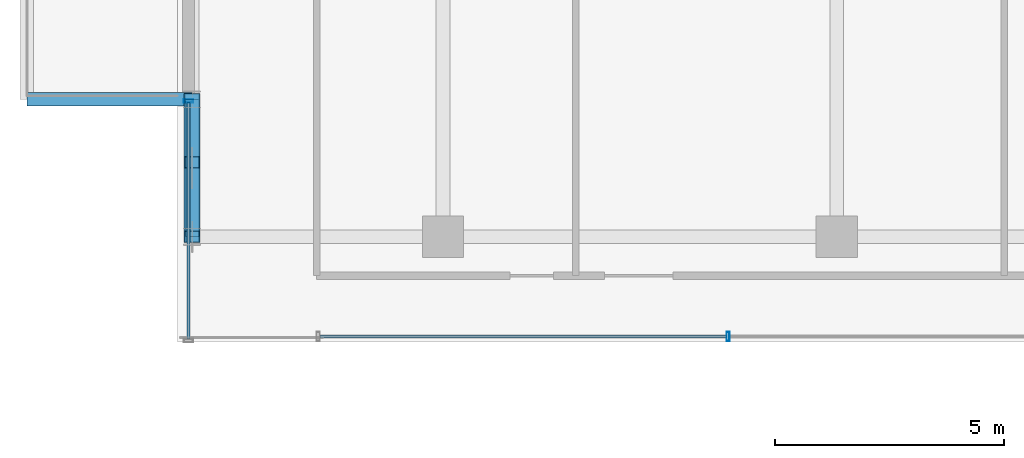
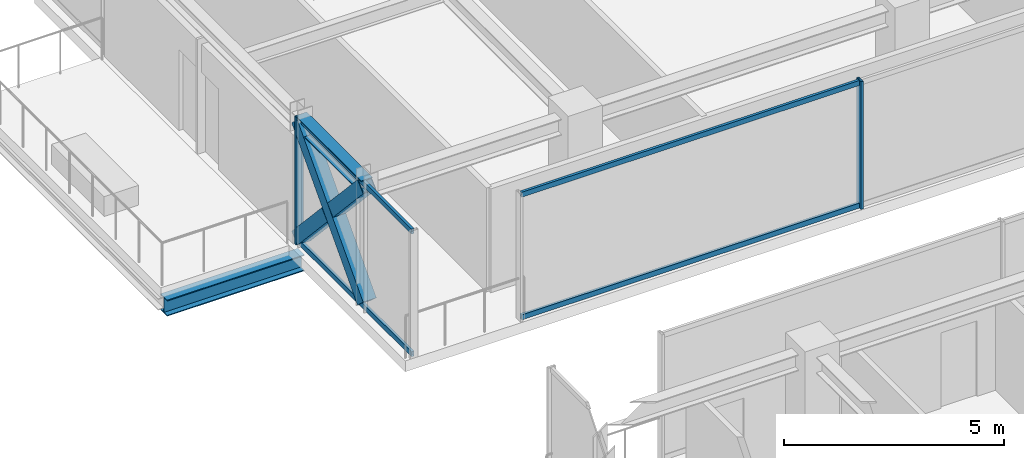
# One storey, part 11 of 41: 9 members, 2 beams, 2 elements without a shape of their own.
"""IFC4 building model written with IfcOpenShell, lengths in metres."""

from ifc_helpers import new_model, si_unit, direction, frame, origin, origin_2d, place, context, subcontext, project, spatial, hollow_rectangle, i_section, extrude, source, transform, mapped, material, material_profile, profile_set, type_object, element, aggregate, save


model = new_model("IFC4")

# Units and contexts
model_context = context("Model", 3, precision=1e-05, world=origin(), true_north=direction((0.0, 1.0)))
body_context = subcontext(model_context, "Body", "Model", "MODEL_VIEW")
ifc_project = project(units=[si_unit("LENGTHUNIT", "METRE"), si_unit("AREAUNIT", "SQUARE_METRE"), si_unit("VOLUMEUNIT", "CUBIC_METRE"), si_unit("PLANEANGLEUNIT", "RADIAN"), si_unit("MASSUNIT", "GRAM", prefix="KILO")], contexts=[model_context])

# Site, building, storey
site_placement = place(None, origin())
site = spatial("IfcSite", under=ifc_project, at=site_placement, CompositionType="ELEMENT")
building_placement = place(site_placement, origin())
building = spatial("IfcBuilding", under=site, at=building_placement, Name="Nahalor Promenade Grand Hotel", CompositionType="ELEMENT")
storey_placement = place(building_placement, frame((0.0, 0.0, 304.199951171875)))
storey = spatial("IfcBuildingStorey", under=building, at=storey_placement, Name="L78", CompositionType="ELEMENT", Elevation=304.199951171875)

# Beams
ifc_material_1 = material(Name="Steel S355JR", Category="steel")
ifc_material_profile_1 = material_profile(ifc_material_1, i_section(OverallWidth=0.3, OverallDepth=0.45, WebThickness=0.014, FlangeThickness=0.026, at=origin_2d()), Name="HEB 450")
ifc_profile_set_1 = profile_set([ifc_material_profile_1], Name="Steel S355JR")
beam_type_1 = type_object("IfcBeamType", Name="Beam-Outrigger-HEB450", PredefinedType="BEAM", material=ifc_profile_set_1)
shared_shape_1 = source(origin(), body_context, "Body", "SweptSolid", [
    extrude(i_section(OverallWidth=0.3, OverallDepth=0.45, WebThickness=0.014, FlangeThickness=0.026, at=origin_2d()), origin(), (0.0, 0.0, 1.0), 3.610107421875),
])
beam_1_placement = place(storey_placement, frame((-26.090087890625, 8.39990234375, -0.5048828125), z_axis=(1.0, 0.0, 0.0), x_axis=(0.0, 1.0, 0.0)))
element("IfcBeam", 1, at=beam_1_placement, inside=storey, type_object=beam_type_1, Name="BM-L78-BC-02-1", PredefinedType="BEAM", context=body_context, shape_type="MappedRepresentation", body=[
    mapped(shared_shape_1, transform((0.0, 0.0, 0.0), scale=1.0)),
])
ifc_material_profile_2 = material_profile(ifc_material_1, i_section(OverallWidth=0.3, OverallDepth=0.36, WebThickness=0.0125, FlangeThickness=0.0225, at=origin_2d()), Name="HEB 360")
ifc_profile_set_2 = profile_set([ifc_material_profile_2], Name="Steel S355JR")
beam_type_2 = type_object("IfcBeamType", Name="Beam-Spandrel-HEB360", PredefinedType="SPANDREL", material=ifc_profile_set_2)
shared_shape_2 = source(origin(), body_context, "Body", "SweptSolid", [
    extrude(i_section(OverallWidth=0.3, OverallDepth=0.36, WebThickness=0.0125, FlangeThickness=0.0225, at=origin_2d()), origin(), (0.0, 0.0, 1.0), 3.0),
])
beam_2_placement = place(storey_placement, frame((-22.47998046875, 5.39990234375, 3.3701171875), z_axis=(0.0, 1.0, 0.0), x_axis=(-1.0, 0.0, 0.0)))
element("IfcBeam", 2, at=beam_2_placement, inside=storey, type_object=beam_type_2, Name="BM-L78-SP-W-3", PredefinedType="SPANDREL", context=body_context, shape_type="MappedRepresentation", body=[
    mapped(shared_shape_2, transform((0.0, 0.0, 0.0), scale=1.0)),
])

# Members
ifc_material_profile_3 = material_profile(ifc_material_1, hollow_rectangle(XDim=0.35, YDim=0.35, WallThickness=0.02, at=origin_2d()), Name="SHS 350x350x20")
ifc_profile_set_3 = profile_set([ifc_material_profile_3], Name="Steel S355JR")
member_type_1 = type_object("IfcMemberType", Name="Mem-VoidBrace-SHS350", PredefinedType="BRACE", material=ifc_profile_set_3)
shared_shape_3 = source(origin(), body_context, "Body", "SweptSolid", [
    extrude(hollow_rectangle(XDim=0.35, YDim=0.35, WallThickness=0.02, at=origin_2d()), origin(), (0.0, 0.0, 1.0), 4.4228515625),
])
member_1_placement = place(storey_placement, frame((-22.47998046875, 5.39990234375, 0.150146484375), z_axis=(0.0, 0.678280102733, 0.734803444627), x_axis=(-1.0, 0.0, 0.0)))
element("IfcMember", 3, at=member_1_placement, inside=storey, type_object=member_type_1, Name="EXO-L78-VX1-W1", PredefinedType="BRACE", context=body_context, shape_type="MappedRepresentation", body=[
    mapped(shared_shape_3, transform((0.0, 0.0, 0.0), scale=1.0)),
])
shared_shape_4 = source(origin(), body_context, "Body", "SweptSolid", [
    extrude(hollow_rectangle(XDim=0.35, YDim=0.35, WallThickness=0.02, at=origin_2d()), origin(), (0.0, 0.0, 1.0), 2.02392578125),
])
for number, where, z_axis, x_axis, name in (
    (4, (-22.47998046875, 8.39990234375, 0.150146484375), (0.0, -0.678315173958, 0.734771069639), (1.0, 0.0, 0.0), "EXO-L78-VX2-W1A"),
    (5, (-22.47998046875, 6.772705078125, 1.912841796875), (0.0, -0.678255053132, 0.734826566545), (1.0, 0.0, 0.0), "EXO-L78-VX2-W1B"),
):
    element("IfcMember", number, at=place(storey_placement, frame(where, z_axis=z_axis, x_axis=x_axis)), inside=storey, type_object=member_type_1, Name=name, PredefinedType="BRACE", context=body_context, shape_type="MappedRepresentation", body=[
        mapped(shared_shape_4, transform((0.0, 0.0, 0.0), scale=1.0)),
    ])

# Curtain wall, members
ifc_material_2 = material(Name="Anodised Bronze Aluminium EN AW-6063 T6", Category="aluminium")
curtain_wall_type = type_object("IfcCurtainWallType", Name="CW3 Elliptical-Void Collar Unitised Curtain Wall", PredefinedType="USERDEFINED", material=ifc_material_2)
curtain_wall_1_placement = place(storey_placement, origin())
curtain_wall_1 = element("IfcCurtainWall", 6, at=curtain_wall_1_placement, inside=storey, type_object=curtain_wall_type, Name="L78 Curtain Wall CW-L78-W-2", ObjectType="UNITISED_CURTAIN_WALL", PredefinedType="USERDEFINED")
ifc_material_profile_4 = material_profile(ifc_material_2, hollow_rectangle(XDim=0.07, YDim=0.14, WallThickness=0.004, at=origin_2d()), Name="CWT 70x140x4")
ifc_profile_set_4 = profile_set([ifc_material_profile_4], Name="Anodised Bronze Aluminium EN AW-6063 T6")
member_type_2 = type_object("IfcMemberType", Name="CWT3 Void Collar Transom 70x140", PredefinedType="USERDEFINED", material=ifc_profile_set_4)
shared_shape_5 = source(origin(), body_context, "Body", "SweptSolid", [
    extrude(hollow_rectangle(XDim=0.07, YDim=0.14, WallThickness=0.004, at=origin_2d()), origin(), (0.0, 0.0, 1.0), 5.16015625),
])
member_2_placement = place(storey_placement, frame((-22.56005859375, 3.169921875, 0.070068359375), z_axis=(0.0, 1.0, 0.0), x_axis=(-1.0, 0.0, 0.0)))
member_2 = element("IfcMember", 7, at=member_2_placement, type_object=member_type_2, Name="CW-L78-W-2 Transom 0-0", ObjectType="TRANSOM", PredefinedType="USERDEFINED", context=body_context, shape_type="MappedRepresentation", body=[
    mapped(shared_shape_5, transform((0.0, 0.0, 0.0), scale=1.0)),
])
member_3_placement = place(storey_placement, frame((-22.56005859375, 3.169921875, 3.47998046875), z_axis=(0.0, 1.0, 0.0), x_axis=(-1.0, 0.0, 0.0)))
member_3 = element("IfcMember", 8, at=member_3_placement, type_object=member_type_2, Name="CW-L78-W-2 Transom 0-1", ObjectType="TRANSOM", PredefinedType="USERDEFINED", context=body_context, shape_type="MappedRepresentation", body=[
    mapped(shared_shape_5, transform((0.0, 0.0, 0.0), scale=1.0)),
])

curtain_wall_2_placement = place(storey_placement, origin())
curtain_wall_2 = element("IfcCurtainWall", 9, at=curtain_wall_2_placement, inside=storey, type_object=curtain_wall_type, Name="L78 Curtain Wall CW-L78-VOID-WN1", ObjectType="UNITISED_CURTAIN_WALL", PredefinedType="USERDEFINED")
shared_shape_6 = source(origin(), body_context, "Body", "SweptSolid", [
    extrude(hollow_rectangle(XDim=0.07, YDim=0.14, WallThickness=0.004, at=origin_2d()), origin(), (0.0, 0.0, 1.0), 8.881591796875),
])
member_4_placement = place(storey_placement, frame((-19.68994140625, 3.219970703125, 0.070068359375), z_axis=(1.0, 0.0, 0.0), x_axis=(0.0, 1.0, 0.0)))
member_4 = element("IfcMember", 10, at=member_4_placement, type_object=member_type_2, Name="CW-L78-VOID-WN1 Transom 0-0", ObjectType="TRANSOM", PredefinedType="USERDEFINED", context=body_context, shape_type="MappedRepresentation", body=[
    mapped(shared_shape_6, transform((0.0, 0.0, 0.0), scale=1.0)),
])
member_5_placement = place(storey_placement, frame((-19.68994140625, 3.219970703125, 3.47998046875), z_axis=(1.0, 0.0, 0.0), x_axis=(0.0, 1.0, 0.0)))
member_5 = element("IfcMember", 11, at=member_5_placement, type_object=member_type_2, Name="CW-L78-VOID-WN1 Transom 0-1", ObjectType="TRANSOM", PredefinedType="USERDEFINED", context=body_context, shape_type="MappedRepresentation", body=[
    mapped(shared_shape_6, transform((0.0, 0.0, 0.0), scale=1.0)),
])

# Member
ifc_material_profile_5 = material_profile(ifc_material_2, hollow_rectangle(XDim=0.07, YDim=0.2, WallThickness=0.005, at=origin_2d()), Name="CWM 70x200x5")
ifc_profile_set_5 = profile_set([ifc_material_profile_5], Name="Anodised Bronze Aluminium EN AW-6063 T6")
member_type_3 = type_object("IfcMemberType", Name="CWM3 Void Collar Mullion 70x200", PredefinedType="MULLION", material=ifc_profile_set_5)
shared_shape_7 = source(origin(), body_context, "Body", "SweptSolid", [
    extrude(hollow_rectangle(XDim=0.07, YDim=0.2, WallThickness=0.005, at=origin_2d()), origin(), (0.0, 0.0, 1.0), 3.550048828125),
])
member_6_placement = place(storey_placement, frame((-22.56005859375, 8.364990234375, 0.0), z_axis=(0.0, 0.0, 1.0), x_axis=(0.0, 1.0, 0.0)))
member_6 = element("IfcMember", 12, at=member_6_placement, type_object=member_type_3, Name="CW-L78-W-2 Mullion 1", PredefinedType="MULLION", context=body_context, shape_type="MappedRepresentation", body=[
    mapped(shared_shape_7, transform((0.0, 0.0, 0.0), scale=1.0)),
])

aggregate(curtain_wall_1, [member_6, member_2, member_3])

member_7_placement = place(storey_placement, frame((-10.7734375, 3.219970703125, 0.0), z_axis=(0.0, 0.0, 1.0), x_axis=(1.0, 0.0, 0.0)))
member_7 = element("IfcMember", 13, at=member_7_placement, type_object=member_type_3, Name="CW-L78-VOID-WN1 Mullion 1", PredefinedType="MULLION", context=body_context, shape_type="MappedRepresentation", body=[
    mapped(shared_shape_7, transform((0.0, 0.0, 0.0), scale=1.0)),
])

aggregate(curtain_wall_2, [member_7, member_4, member_5])

save(model, "model.ifc")
